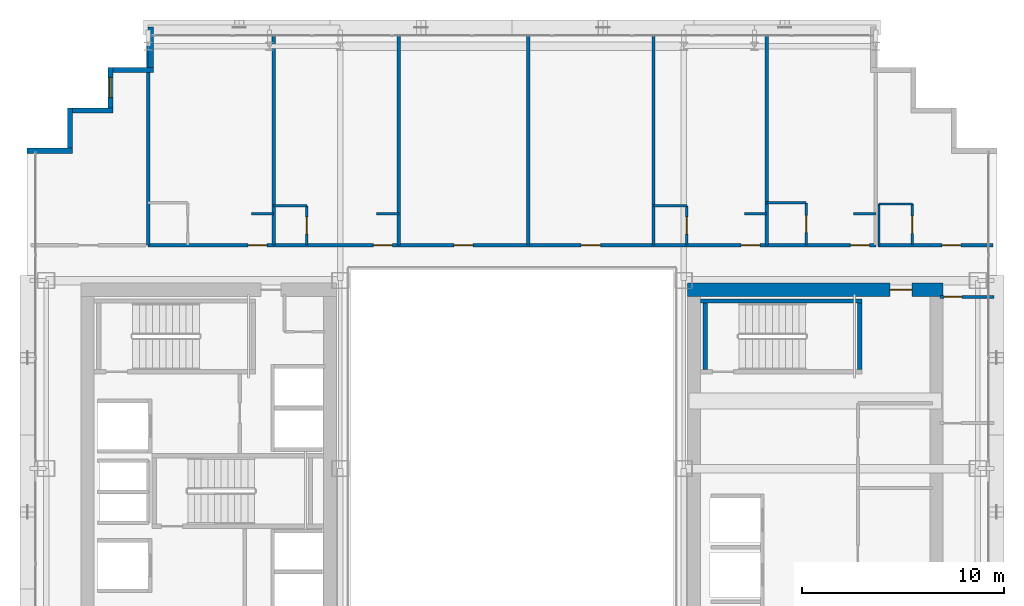
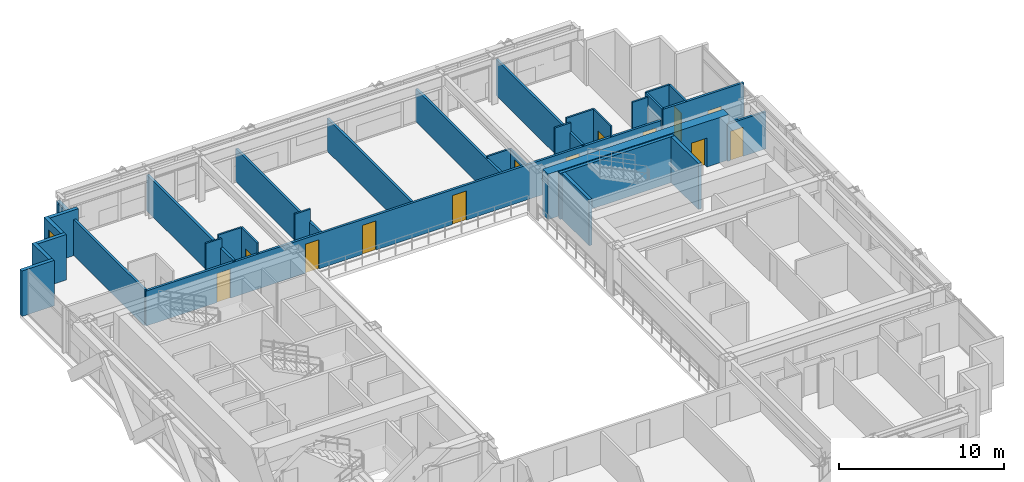
# One storey, part 30 of 35: 32 walls, 13 doors, 1 window, 14 openings.
"""IFC4 building model written with IfcOpenShell, lengths in metres."""

from ifc_helpers import new_model, si_unit, direction, frame, frame_2d, origin, place, context, subcontext, project, spatial, rectangle, extrude, source, transform, mapped, material, layer, layer_set, type_object, element, fill, save


model = new_model("IFC4")

# Units and contexts
model_context = context("Model", 3, precision=1e-05, world=origin(), true_north=direction((0.0, 1.0)))
body_context = subcontext(model_context, "Body", "Model", "MODEL_VIEW")
ifc_project = project(units=[si_unit("LENGTHUNIT", "METRE"), si_unit("AREAUNIT", "SQUARE_METRE"), si_unit("VOLUMEUNIT", "CUBIC_METRE"), si_unit("PLANEANGLEUNIT", "RADIAN"), si_unit("MASSUNIT", "GRAM", prefix="KILO")], contexts=[model_context])

# Site, building, storey
site_placement = place(None, origin())
site = spatial("IfcSite", under=ifc_project, at=site_placement, CompositionType="ELEMENT")
building_placement = place(site_placement, origin())
building = spatial("IfcBuilding", under=site, at=building_placement, Name="Ocotamira Hotel", CompositionType="ELEMENT")
storey_placement = place(building_placement, frame((0.0, 0.0, 118.800048828125)))
storey = spatial("IfcBuildingStorey", under=building, at=storey_placement, Name="L29", CompositionType="ELEMENT", Elevation=118.800048828125)

# Wall, opening, door
ifc_material_1 = material(Name="Concrete C60/75", Category="concrete")
ifc_layer_1 = layer(ifc_material_1, 0.64990234375)
ifc_layer_set_1 = layer_set([ifc_layer_1], Name="Concrete C60/75")
wall_type_1 = type_object("IfcWallType", Name="WL-CORE-650", PredefinedType="SHEAR", material=ifc_layer_set_1)
wall_1_placement = place(storey_placement, frame((40.675048828125, 37.0, 0.0), z_axis=(0.0, 0.0, 1.0), x_axis=(1.0, 0.0, 0.0)))
wall_1 = element("IfcWall", 1, at=wall_1_placement, inside=storey, type_object=wall_type_1, Name="L29 Shear Core Wall ECORE-N", PredefinedType="SHEAR", context=body_context, shape_type="SweptSolid", body=[
    extrude(rectangle(XDim=12.64990234375, YDim=0.64990234375, at=frame_2d((6.324951171875, 0.0))), origin(), (0.0, 0.0, 1.0), 3.35986328125),
])
opening_1_placement = place(wall_1_placement, frame((10.02490234375, 0.0, 0.0)))
opening_1 = element("IfcOpeningElement", 2, at=opening_1_placement, cuts=wall_1, Name="Opening D-FR1", PredefinedType="OPENING", context=body_context, shape_type="SweptSolid", body=[
    extrude(rectangle(XDim=1.10009765625, YDim=2.14990234375, at=frame_2d((0.550048828125, 1.074951171875))), frame((0.0, 0.3349609375, 0.0), z_axis=(0.0, -1.0, 0.0), x_axis=(1.0, 0.0, 0.0)), (0.0, 0.0, 1.0), 0.669921875),
])
ifc_material_2 = material(Name="Fire-rated acoustic timber-veneer door", Category="wood")
door_type_1 = type_object("IfcDoorType", Name="DR-FIRE-1100", OperationType="NOTDEFINED", PredefinedType="DOOR", material=ifc_material_2)
shared_shape_1 = source(origin(), body_context, "Body", "SweptSolid", [
    extrude(rectangle(XDim=1.10009765625, YDim=2.14990234375, at=frame_2d((0.550048828125, 1.074951171875))), frame((0.0, 0.02490234375, 0.0), z_axis=(0.0, -1.0, 0.0), x_axis=(1.0, 0.0, 0.0)), (0.0, 0.0, 1.0), 0.050048828125),
])
door_1_placement = place(opening_1_placement, origin())
door_1 = element("IfcDoor", 3, at=door_1_placement, inside=storey, type_object=door_type_1, Name="L29 Door ID-L29-ELOB-N-D [ID-L29-ELOB-N-D]", OperationType="SINGLE_SWING_LEFT", OverallHeight=2.14990234375, OverallWidth=1.10009765625, PredefinedType="DOOR", context=body_context, shape_type="MappedRepresentation", body=[
    mapped(shared_shape_1, transform((0.0, 0.0, 0.0), scale=1.0)),
])
fill(opening_1, door_1)

# Walls
ifc_material_3 = material(Name="Precast concrete C45/55", Category="concrete")
ifc_layer_2 = layer(ifc_material_3, 0.25)
ifc_layer_set_2 = layer_set([ifc_layer_2], Name="Precast concrete C45/55")
wall_type_2 = type_object("IfcWallType", Name="WL-EXT-SER-250", PredefinedType="SOLIDWALL", material=ifc_layer_set_2)
wall_2_placement = place(storey_placement, frame((14.125, 50.0, 0.0), z_axis=(0.0, 0.0, 1.0), x_axis=(0.0, -1.0, 0.0)))
element("IfcWall", 4, at=wall_2_placement, inside=storey, type_object=wall_type_2, Name="L29 Serrated Corner Wall 13", PredefinedType="SOLIDWALL", context=body_context, shape_type="SweptSolid", body=[
    extrude(rectangle(XDim=2.0, YDim=0.25, at=frame_2d((1.0, 0.0))), origin(), (0.0, 0.0, 1.0), 2.6669921875),
])
wall_3_placement = place(storey_placement, frame((14.25, 47.875, 0.0), z_axis=(0.0, 0.0, 1.0), x_axis=(-1.0, 0.0, 0.0)))
element("IfcWall", 5, at=wall_3_placement, inside=storey, type_object=wall_type_2, Name="L29 Serrated Corner Wall 14", PredefinedType="SOLIDWALL", context=body_context, shape_type="SweptSolid", body=[
    extrude(rectangle(XDim=2.0, YDim=0.25, at=frame_2d((1.0, 0.0))), origin(), (0.0, 0.0, 1.0), 3.35986328125),
])

# Wall, opening, window
wall_4_placement = place(storey_placement, frame((12.125, 48.0, 0.0), z_axis=(0.0, 0.0, 1.0), x_axis=(0.0, -1.0, 0.0)))
wall_4 = element("IfcWall", 6, at=wall_4_placement, inside=storey, type_object=wall_type_2, Name="L29 Serrated Corner Wall 15", PredefinedType="SOLIDWALL", context=body_context, shape_type="SweptSolid", body=[
    extrude(rectangle(XDim=2.0, YDim=0.25, at=frame_2d((1.0, 0.0))), origin(), (0.0, 0.0, 1.0), 3.35986328125),
])
opening_2_placement = place(wall_4_placement, frame((0.5, 0.0, 0.85009765625)))
opening_2 = element("IfcOpeningElement", 7, at=opening_2_placement, cuts=wall_4, Name="Opening WN-2", PredefinedType="OPENING", context=body_context, shape_type="SweptSolid", body=[
    extrude(rectangle(XDim=1.0, YDim=1.89990234375, at=frame_2d((0.5, 0.949951171875))), frame((0.0, 0.135009765625, 0.0), z_axis=(0.0, -1.0, 0.0), x_axis=(1.0, 0.0, 0.0)), (0.0, 0.0, 1.0), 0.27001953125),
])
ifc_material_4 = material(Name="Double-silver low-E solar glass", Category="glass")
window_type = type_object("IfcWindowType", Name="WIN-SER-1100", PartitioningType="SINGLE_PANEL", PredefinedType="WINDOW", material=ifc_material_4)
shared_shape_2 = source(origin(), body_context, "Body", "SweptSolid", [
    extrude(rectangle(XDim=1.0, YDim=1.89990234375, at=frame_2d((0.5, 0.949951171875))), frame((0.0, 0.030029296875, 0.0), z_axis=(0.0, -1.0, 0.0), x_axis=(1.0, 0.0, 0.0)), (0.0, 0.0, 1.0), 0.06005859375),
])
window_placement = place(opening_2_placement, origin())
window = element("IfcWindow", 8, at=window_placement, inside=storey, type_object=window_type, Name="L29 Serrated Corner Window 15", OverallHeight=1.89990234375, OverallWidth=1.0, PartitioningType="SINGLE_PANEL", PredefinedType="WINDOW", context=body_context, shape_type="MappedRepresentation", body=[
    mapped(shared_shape_2, transform((0.0, 0.0, 0.0), scale=1.0)),
])
fill(opening_2, window)

# Walls
for number, where, z_axis, x_axis, name in (
    (9, (12.25, 45.875, 0.0), (0.0, 0.0, 1.0), (-1.0, 0.0, 0.0), "L29 Serrated Corner Wall 16"),
    (10, (10.125, 46.0, 0.0), (0.0, 0.0, 1.0), (0.0, -1.0, 0.0), "L29 Serrated Corner Wall 17"),
):
    element("IfcWall", number, at=place(storey_placement, frame(where, z_axis=z_axis, x_axis=x_axis)), inside=storey, type_object=wall_type_2, Name=name, PredefinedType="SOLIDWALL", context=body_context, shape_type="SweptSolid", body=[
        extrude(rectangle(XDim=2.0, YDim=0.25, at=frame_2d((1.0, 0.0))), origin(), (0.0, 0.0, 1.0), 3.35986328125),
    ])
wall_5_placement = place(storey_placement, frame((10.25, 43.875, 0.0), z_axis=(0.0, 0.0, 1.0), x_axis=(-1.0, 0.0, 0.0)))
element("IfcWall", 11, at=wall_5_placement, inside=storey, type_object=wall_type_2, Name="L29 Serrated Corner Wall 18", PredefinedType="SOLIDWALL", context=body_context, shape_type="SweptSolid", body=[
    extrude(rectangle(XDim=2.25, YDim=0.25, at=frame_2d((1.125, 0.0))), origin(), (0.0, 0.0, 1.0), 3.35986328125),
])

# Wall, opening, door
ifc_material_5 = material(Name="Acoustic double-layer fire gypsum board partition", Category="gypsum")
ifc_layer_3 = layer(ifc_material_5, 0.159912109375)
ifc_layer_set_3 = layer_set([ifc_layer_3], Name="Acoustic double-layer fire gypsum board partition")
wall_type_3 = type_object("IfcWallType", Name="WL-FIRE-160", PredefinedType="PARTITIONING", material=ifc_layer_set_3)
wall_6_placement = place(storey_placement, frame((50.1201171875, 39.199951171875, 0.0), z_axis=(0.0, 0.0, 1.0), x_axis=(1.0, 0.0, 0.0)))
wall_6 = element("IfcWall", 12, at=wall_6_placement, inside=storey, type_object=wall_type_3, Name="L29 Interior Wall PW-L29-Z2C-CNE-CW", PredefinedType="PARTITIONING", context=body_context, shape_type="SweptSolid", body=[
    extrude(rectangle(XDim=5.679931640625, YDim=0.159912109375, at=frame_2d((2.83984375, 0.0))), origin(), (0.0, 0.0, 1.0), 3.35986328125),
])
opening_3_placement = place(wall_6_placement, frame((3.14990234375, 0.0, 0.0)))
opening_3 = element("IfcOpeningElement", 13, at=opening_3_placement, cuts=wall_6, Name="Opening D-GR1", PredefinedType="OPENING", context=body_context, shape_type="SweptSolid", body=[
    extrude(rectangle(XDim=0.93994140625, YDim=2.14990234375, at=frame_2d((0.469970703125, 1.074951171875))), frame((0.0, 0.08984375, 0.0), z_axis=(0.0, -1.0, 0.0), x_axis=(1.0, 0.0, 0.0)), (0.0, 0.0, 1.0), 0.179931640625),
])
ifc_material_6 = material(Name="Solid-core walnut suite entrance fire door", Category="wood")
door_type_2 = type_object("IfcDoorType", Name="DR-GUEST-940", OperationType="NOTDEFINED", PredefinedType="DOOR", material=ifc_material_6)
shared_shape_3 = source(origin(), body_context, "Body", "SweptSolid", [
    extrude(rectangle(XDim=0.93994140625, YDim=2.14990234375, at=frame_2d((0.469970703125, 1.074951171875))), frame((0.0, 0.02490234375, 0.0), z_axis=(0.0, -1.0, 0.0), x_axis=(1.0, 0.0, 0.0)), (0.0, 0.0, 1.0), 0.050048828125),
])
door_2_placement = place(opening_3_placement, origin())
door_2 = element("IfcDoor", 14, at=door_2_placement, inside=storey, type_object=door_type_2, Name="L29 Door ID-L29-Z2C-CNE-CD [ID-L29-Z2C-CNE-CD]", OperationType="SINGLE_SWING_RIGHT", OverallHeight=2.14990234375, OverallWidth=0.93994140625, PredefinedType="DOOR", context=body_context, shape_type="MappedRepresentation", body=[
    mapped(shared_shape_3, transform((0.0, 0.0, 0.0), scale=1.0)),
])
fill(opening_3, door_2)

# Wall, openings, doors
wall_7_placement = place(storey_placement, frame((14.0, 39.199951171875, 0.0), z_axis=(0.0, 0.0, 1.0), x_axis=(1.0, 0.0, 0.0)))
wall_7 = element("IfcWall", 15, at=wall_7_placement, inside=storey, type_object=wall_type_3, Name="L29 Interior Wall PW-L29-Z2CN-CORRW", PredefinedType="PARTITIONING", context=body_context, shape_type="SweptSolid", body=[
    extrude(rectangle(XDim=36.0, YDim=0.159912109375, at=frame_2d((18.0, 0.0))), origin(), (0.0, 0.0, 1.0), 2.5810546875),
])
opening_4_placement = place(wall_7_placement, frame((4.93994140625, 0.0, 0.0)))
opening_4 = element("IfcOpeningElement", 16, at=opening_4_placement, cuts=wall_7, Name="Opening D-GR1", PredefinedType="OPENING", context=body_context, shape_type="SweptSolid", body=[
    extrude(rectangle(XDim=0.93994140625, YDim=2.14990234375, at=frame_2d((0.469970703125, 1.074951171875))), frame((0.0, 0.08984375, 0.0), z_axis=(0.0, -1.0, 0.0), x_axis=(1.0, 0.0, 0.0)), (0.0, 0.0, 1.0), 0.179931640625),
])
opening_5_placement = place(wall_7_placement, frame((11.139892578125, 0.0, 0.0)))
opening_5 = element("IfcOpeningElement", 17, at=opening_5_placement, cuts=wall_7, Name="Opening D-GR1", PredefinedType="OPENING", context=body_context, shape_type="SweptSolid", body=[
    extrude(rectangle(XDim=0.93994140625, YDim=2.14990234375, at=frame_2d((0.469970703125, 1.074951171875))), frame((0.0, 0.08984375, 0.0), z_axis=(0.0, -1.0, 0.0), x_axis=(1.0, 0.0, 0.0)), (0.0, 0.0, 1.0), 0.179931640625),
])
opening_6_placement = place(wall_7_placement, frame((15.1201171875, 0.0, 0.0)))
opening_6 = element("IfcOpeningElement", 18, at=opening_6_placement, cuts=wall_7, Name="Opening D-SV4", PredefinedType="OPENING", context=body_context, shape_type="SweptSolid", body=[
    extrude(rectangle(XDim=0.9599609375, YDim=2.14990234375, at=frame_2d((0.47998046875, 1.074951171875))), frame((0.0, 0.08984375, 0.0), z_axis=(0.0, -1.0, 0.0), x_axis=(1.0, 0.0, 0.0)), (0.0, 0.0, 1.0), 0.179931640625),
])
opening_7_placement = place(wall_7_placement, frame((21.419921875, 0.0, 0.0)))
opening_7 = element("IfcOpeningElement", 19, at=opening_7_placement, cuts=wall_7, Name="Opening D-SV4", PredefinedType="OPENING", context=body_context, shape_type="SweptSolid", body=[
    extrude(rectangle(XDim=0.9599609375, YDim=2.14990234375, at=frame_2d((0.47998046875, 1.074951171875))), frame((0.0, 0.08984375, 0.0), z_axis=(0.0, -1.0, 0.0), x_axis=(1.0, 0.0, 0.0)), (0.0, 0.0, 1.0), 0.179931640625),
])
opening_8_placement = place(wall_7_placement, frame((29.340087890625, 0.0, 0.0)))
opening_8 = element("IfcOpeningElement", 20, at=opening_8_placement, cuts=wall_7, Name="Opening D-GR1", PredefinedType="OPENING", context=body_context, shape_type="SweptSolid", body=[
    extrude(rectangle(XDim=0.93994140625, YDim=2.14990234375, at=frame_2d((0.469970703125, 1.074951171875))), frame((0.0, 0.08984375, 0.0), z_axis=(0.0, -1.0, 0.0), x_axis=(1.0, 0.0, 0.0)), (0.0, 0.0, 1.0), 0.179931640625),
])
opening_9_placement = place(wall_7_placement, frame((34.739990234375, 0.0, 0.0)))
opening_9 = element("IfcOpeningElement", 21, at=opening_9_placement, cuts=wall_7, Name="Opening D-GR1", PredefinedType="OPENING", context=body_context, shape_type="SweptSolid", body=[
    extrude(rectangle(XDim=0.93994140625, YDim=2.14990234375, at=frame_2d((0.469970703125, 1.074951171875))), frame((0.0, 0.08984375, 0.0), z_axis=(0.0, -1.0, 0.0), x_axis=(1.0, 0.0, 0.0)), (0.0, 0.0, 1.0), 0.179931640625),
])
ifc_material_7 = material(Name="Fire-rated accessible walnut salon door", Category="wood")
door_type_3 = type_object("IfcDoorType", Name="DR-SERV-960", OperationType="NOTDEFINED", PredefinedType="DOOR", material=ifc_material_7)
shared_shape_4 = source(origin(), body_context, "Body", "SweptSolid", [
    extrude(rectangle(XDim=0.9599609375, YDim=2.14990234375, at=frame_2d((0.47998046875, 1.074951171875))), frame((0.0, 0.02490234375, 0.0), z_axis=(0.0, -1.0, 0.0), x_axis=(1.0, 0.0, 0.0)), (0.0, 0.0, 1.0), 0.050048828125),
])
door_3_placement = place(opening_6_placement, origin())
door_3 = element("IfcDoor", 22, at=door_3_placement, inside=storey, type_object=door_type_3, Name="L29 Door ID-L29-Z2CN-AMD3 [ID-L29-Z2CN-AMD3]", OperationType="SINGLE_SWING_LEFT", OverallHeight=2.14990234375, OverallWidth=0.9599609375, PredefinedType="DOOR", context=body_context, shape_type="MappedRepresentation", body=[
    mapped(shared_shape_4, transform((0.0, 0.0, 0.0), scale=1.0)),
])
fill(opening_6, door_3)
door_4_placement = place(opening_7_placement, origin())
door_4 = element("IfcDoor", 23, at=door_4_placement, inside=storey, type_object=door_type_3, Name="L29 Door ID-L29-Z2CN-AMD4 [ID-L29-Z2CN-AMD4]", OperationType="SINGLE_SWING_RIGHT", OverallHeight=2.14990234375, OverallWidth=0.9599609375, PredefinedType="DOOR", context=body_context, shape_type="MappedRepresentation", body=[
    mapped(shared_shape_4, transform((0.0, 0.0, 0.0), scale=1.0)),
])
fill(opening_7, door_4)
door_5_placement = place(opening_4_placement, origin())
door_5 = element("IfcDoor", 24, at=door_5_placement, inside=storey, type_object=door_type_2, Name="L29 Door ID-L29-Z2CN-RMD1 [ID-L29-Z2CN-RMD1]", OperationType="SINGLE_SWING_LEFT", OverallHeight=2.14990234375, OverallWidth=0.93994140625, PredefinedType="DOOR", context=body_context, shape_type="MappedRepresentation", body=[
    mapped(shared_shape_3, transform((0.0, 0.0, 0.0), scale=1.0)),
])
fill(opening_4, door_5)
door_6_placement = place(opening_5_placement, origin())
door_6 = element("IfcDoor", 25, at=door_6_placement, inside=storey, type_object=door_type_2, Name="L29 Door ID-L29-Z2CN-RMD2 [ID-L29-Z2CN-RMD2]", OperationType="SINGLE_SWING_RIGHT", OverallHeight=2.14990234375, OverallWidth=0.93994140625, PredefinedType="DOOR", context=body_context, shape_type="MappedRepresentation", body=[
    mapped(shared_shape_3, transform((0.0, 0.0, 0.0), scale=1.0)),
])
fill(opening_5, door_6)
door_7_placement = place(opening_8_placement, origin())
door_7 = element("IfcDoor", 26, at=door_7_placement, inside=storey, type_object=door_type_2, Name="L29 Door ID-L29-Z2CN-RMD5 [ID-L29-Z2CN-RMD5]", OperationType="SINGLE_SWING_LEFT", OverallHeight=2.14990234375, OverallWidth=0.93994140625, PredefinedType="DOOR", context=body_context, shape_type="MappedRepresentation", body=[
    mapped(shared_shape_3, transform((0.0, 0.0, 0.0), scale=1.0)),
])
fill(opening_8, door_7)
door_8_placement = place(opening_9_placement, origin())
door_8 = element("IfcDoor", 27, at=door_8_placement, inside=storey, type_object=door_type_2, Name="L29 Door ID-L29-Z2CN-RMD6 [ID-L29-Z2CN-RMD6]", OperationType="SINGLE_SWING_RIGHT", OverallHeight=2.14990234375, OverallWidth=0.93994140625, PredefinedType="DOOR", context=body_context, shape_type="MappedRepresentation", body=[
    mapped(shared_shape_3, transform((0.0, 0.0, 0.0), scale=1.0)),
])
fill(opening_9, door_8)

# Wall, opening, door
ifc_material_8 = material(Name="Moisture-resistant en-suite tile and gypsum partition", Category="gypsum")
ifc_layer_4 = layer(ifc_material_8, 0.1201171875)
ifc_layer_set_4 = layer_set([ifc_layer_4], Name="Moisture-resistant en-suite tile and gypsum partition")
wall_type_4 = type_object("IfcWallType", Name="WL-PART-120", PredefinedType="PARTITIONING", material=ifc_layer_set_4)
wall_8_placement = place(storey_placement, frame((51.81005859375, 39.199951171875, 0.0), z_axis=(0.0, 0.0, 1.0), x_axis=(0.0, 1.0, 0.0)))
wall_8 = element("IfcWall", 28, at=wall_8_placement, inside=storey, type_object=wall_type_4, Name="L29 Interior Wall PW-L29-Z2C-CNE-BE", PredefinedType="PARTITIONING", context=body_context, shape_type="SweptSolid", body=[
    extrude(rectangle(XDim=2.0400390625, YDim=0.1201171875, at=frame_2d((1.02001953125, 0.0))), origin(), (0.0, 0.0, 1.0), 3.35986328125),
])
opening_10_placement = place(wall_8_placement, frame((0.590087890625, 0.0, 0.0)))
opening_10 = element("IfcOpeningElement", 29, at=opening_10_placement, cuts=wall_8, Name="Opening D-BA1", PredefinedType="OPENING", context=body_context, shape_type="SweptSolid", body=[
    extrude(rectangle(XDim=0.860107421875, YDim=2.10009765625, at=frame_2d((0.43017578125, 1.050048828125))), frame((0.0, 0.070068359375, 0.0), z_axis=(0.0, -1.0, 0.0), x_axis=(1.0, 0.0, 0.0)), (0.0, 0.0, 1.0), 0.14013671875),
])
ifc_material_9 = material(Name="Moisture-sealed en-suite timber door", Category="wood")
door_type_4 = type_object("IfcDoorType", Name="DR-BATH-860", OperationType="NOTDEFINED", PredefinedType="DOOR", material=ifc_material_9)
shared_shape_5 = source(origin(), body_context, "Body", "SweptSolid", [
    extrude(rectangle(XDim=0.860107421875, YDim=2.10009765625, at=frame_2d((0.43017578125, 1.050048828125))), frame((0.0, 0.02490234375, 0.0), z_axis=(0.0, -1.0, 0.0), x_axis=(1.0, 0.0, 0.0)), (0.0, 0.0, 1.0), 0.050048828125),
])
door_9_placement = place(opening_10_placement, origin())
door_9 = element("IfcDoor", 30, at=door_9_placement, inside=storey, type_object=door_type_4, Name="L29 Door ID-L29-Z2C-CNE-BD [ID-L29-Z2C-CNE-BD]", OperationType="SINGLE_SWING_LEFT", OverallHeight=2.10009765625, OverallWidth=0.860107421875, PredefinedType="DOOR", context=body_context, shape_type="MappedRepresentation", body=[
    mapped(shared_shape_5, transform((0.0, 0.0, 0.0), scale=1.0)),
])
fill(opening_10, door_9)

# Walls
wall_9_placement = place(storey_placement, frame((50.159912109375, 39.199951171875, 0.0), z_axis=(0.0, 0.0, 1.0), x_axis=(0.0, 1.0, 0.0)))
element("IfcWall", 31, at=wall_9_placement, inside=storey, type_object=wall_type_4, Name="L29 Interior Wall PW-L29-Z2C-CNE-BW", PredefinedType="PARTITIONING", context=body_context, shape_type="SweptSolid", body=[
    extrude(rectangle(XDim=2.0400390625, YDim=0.1201171875, at=frame_2d((1.02001953125, 0.0))), origin(), (0.0, 0.0, 1.0), 3.35986328125),
])
wall_10_placement = place(storey_placement, frame((50.159912109375, 41.239990234375, 0.0), z_axis=(0.0, 0.0, 1.0), x_axis=(1.0, 0.0, 0.0)))
element("IfcWall", 32, at=wall_10_placement, inside=storey, type_object=wall_type_4, Name="L29 Interior Wall PW-L29-Z2C-CNE-BH", PredefinedType="PARTITIONING", context=body_context, shape_type="SweptSolid", body=[
    extrude(rectangle(XDim=1.650146484375, YDim=0.1201171875, at=frame_2d((0.8251953125, 0.0))), origin(), (0.0, 0.0, 1.0), 3.35986328125),
])
wall_11_placement = place(storey_placement, frame((19.10009765625, 40.75, 0.0), z_axis=(0.0, 0.0, 1.0), x_axis=(1.0, 0.0, 0.0)))
element("IfcWall", 33, at=wall_11_placement, inside=storey, type_object=wall_type_4, Name="L29 Interior Wall PW-L29-Z2CN-DRN1", PredefinedType="PARTITIONING", context=body_context, shape_type="SweptSolid", body=[
    extrude(rectangle(XDim=1.099853515625, YDim=0.1201171875, at=frame_2d((0.5498046875, 0.0))), origin(), (0.0, 0.0, 1.0), 3.35986328125),
])

# Wall, opening, door
wall_12_placement = place(storey_placement, frame((21.85009765625, 39.199951171875, 0.0), z_axis=(0.0, 0.0, 1.0), x_axis=(0.0, 1.0, 0.0)))
wall_12 = element("IfcWall", 34, at=wall_12_placement, inside=storey, type_object=wall_type_4, Name="L29 Interior Wall PW-L29-Z2CN-BAE2", PredefinedType="PARTITIONING", context=body_context, shape_type="SweptSolid", body=[
    extrude(rectangle(XDim=1.949951171875, YDim=0.1201171875, at=frame_2d((0.97509765625, 0.0))), origin(), (0.0, 0.0, 1.0), 3.35986328125),
])
opening_11_placement = place(wall_12_placement, frame((0.544921875, 0.0, 0.0)))
opening_11 = element("IfcOpeningElement", 35, at=opening_11_placement, cuts=wall_12, Name="Opening D-BA1", PredefinedType="OPENING", context=body_context, shape_type="SweptSolid", body=[
    extrude(rectangle(XDim=0.860107421875, YDim=2.10009765625, at=frame_2d((0.43017578125, 1.050048828125))), frame((0.0, 0.070068359375, 0.0), z_axis=(0.0, -1.0, 0.0), x_axis=(1.0, 0.0, 0.0)), (0.0, 0.0, 1.0), 0.14013671875),
])
door_10_placement = place(opening_11_placement, origin())
door_10 = element("IfcDoor", 36, at=door_10_placement, inside=storey, type_object=door_type_4, Name="L29 Door ID-L29-Z2CN-BAD2 [ID-L29-Z2CN-BAD2]", OperationType="SINGLE_SWING_LEFT", OverallHeight=2.10009765625, OverallWidth=0.860107421875, PredefinedType="DOOR", context=body_context, shape_type="MappedRepresentation", body=[
    mapped(shared_shape_5, transform((0.0, 0.0, 0.0), scale=1.0)),
])
fill(opening_11, door_10)

# Walls
wall_13_placement = place(storey_placement, frame((20.199951171875, 41.14990234375, 0.0), z_axis=(0.0, 0.0, 1.0), x_axis=(1.0, 0.0, 0.0)))
element("IfcWall", 37, at=wall_13_placement, inside=storey, type_object=wall_type_4, Name="L29 Interior Wall PW-L29-Z2CN-BAN2", PredefinedType="PARTITIONING", context=body_context, shape_type="SweptSolid", body=[
    extrude(rectangle(XDim=1.650146484375, YDim=0.1201171875, at=frame_2d((0.8251953125, 0.0))), origin(), (0.0, 0.0, 1.0), 3.35986328125),
])
wall_14_placement = place(storey_placement, frame((25.300048828125, 40.75, 0.0), z_axis=(0.0, 0.0, 1.0), x_axis=(1.0, 0.0, 0.0)))
element("IfcWall", 38, at=wall_14_placement, inside=storey, type_object=wall_type_4, Name="L29 Interior Wall PW-L29-Z2CN-DRN2", PredefinedType="PARTITIONING", context=body_context, shape_type="SweptSolid", body=[
    extrude(rectangle(XDim=1.099853515625, YDim=0.1201171875, at=frame_2d((0.5498046875, 0.0))), origin(), (0.0, 0.0, 1.0), 3.35986328125),
])

# Wall, opening, door
wall_15_placement = place(storey_placement, frame((40.64990234375, 39.199951171875, 0.0), z_axis=(0.0, 0.0, 1.0), x_axis=(0.0, 1.0, 0.0)))
wall_15 = element("IfcWall", 39, at=wall_15_placement, inside=storey, type_object=wall_type_4, Name="L29 Interior Wall PW-L29-Z2CN-BAE5", PredefinedType="PARTITIONING", context=body_context, shape_type="SweptSolid", body=[
    extrude(rectangle(XDim=1.949951171875, YDim=0.1201171875, at=frame_2d((0.97509765625, 0.0))), origin(), (0.0, 0.0, 1.0), 2.5810546875),
])
opening_12_placement = place(wall_15_placement, frame((0.544921875, 0.0, 0.0)))
opening_12 = element("IfcOpeningElement", 40, at=opening_12_placement, cuts=wall_15, Name="Opening D-BA1", PredefinedType="OPENING", context=body_context, shape_type="SweptSolid", body=[
    extrude(rectangle(XDim=0.860107421875, YDim=2.10009765625, at=frame_2d((0.43017578125, 1.050048828125))), frame((0.0, 0.070068359375, 0.0), z_axis=(0.0, -1.0, 0.0), x_axis=(1.0, 0.0, 0.0)), (0.0, 0.0, 1.0), 0.14013671875),
])
door_11_placement = place(opening_12_placement, origin())
door_11 = element("IfcDoor", 41, at=door_11_placement, inside=storey, type_object=door_type_4, Name="L29 Door ID-L29-Z2CN-BAD5 [ID-L29-Z2CN-BAD5]", OperationType="SINGLE_SWING_RIGHT", OverallHeight=2.10009765625, OverallWidth=0.860107421875, PredefinedType="DOOR", context=body_context, shape_type="MappedRepresentation", body=[
    mapped(shared_shape_5, transform((0.0, 0.0, 0.0), scale=1.0)),
])
fill(opening_12, door_11)

# Walls
wall_16_placement = place(storey_placement, frame((39.0, 41.14990234375, 0.0), z_axis=(0.0, 0.0, 1.0), x_axis=(1.0, 0.0, 0.0)))
element("IfcWall", 42, at=wall_16_placement, inside=storey, type_object=wall_type_4, Name="L29 Interior Wall PW-L29-Z2CN-BAN5", PredefinedType="PARTITIONING", context=body_context, shape_type="SweptSolid", body=[
    extrude(rectangle(XDim=1.64990234375, YDim=0.1201171875, at=frame_2d((0.824951171875, 0.0))), origin(), (0.0, 0.0, 1.0), 2.5810546875),
])
wall_17_placement = place(storey_placement, frame((43.5, 40.75, 0.0), z_axis=(0.0, 0.0, 1.0), x_axis=(1.0, 0.0, 0.0)))
element("IfcWall", 43, at=wall_17_placement, inside=storey, type_object=wall_type_4, Name="L29 Interior Wall PW-L29-Z2CN-DRN5", PredefinedType="PARTITIONING", context=body_context, shape_type="SweptSolid", body=[
    extrude(rectangle(XDim=1.10009765625, YDim=0.1201171875, at=frame_2d((0.550048828125, 0.0))), origin(), (0.0, 0.0, 1.0), 3.35986328125),
])

# Wall, opening, door
wall_18_placement = place(storey_placement, frame((46.550048828125, 39.199951171875, 0.0), z_axis=(0.0, 0.0, 1.0), x_axis=(0.0, 1.0, 0.0)))
wall_18 = element("IfcWall", 44, at=wall_18_placement, inside=storey, type_object=wall_type_4, Name="L29 Interior Wall PW-L29-Z2CN-BAE6", PredefinedType="PARTITIONING", context=body_context, shape_type="SweptSolid", body=[
    extrude(rectangle(XDim=2.10009765625, YDim=0.1201171875, at=frame_2d((1.050048828125, 0.0))), origin(), (0.0, 0.0, 1.0), 3.35986328125),
])
opening_13_placement = place(wall_18_placement, frame((0.6201171875, 0.0, 0.0)))
opening_13 = element("IfcOpeningElement", 45, at=opening_13_placement, cuts=wall_18, Name="Opening D-BA1", PredefinedType="OPENING", context=body_context, shape_type="SweptSolid", body=[
    extrude(rectangle(XDim=0.860107421875, YDim=2.10009765625, at=frame_2d((0.43017578125, 1.050048828125))), frame((0.0, 0.070068359375, 0.0), z_axis=(0.0, -1.0, 0.0), x_axis=(1.0, 0.0, 0.0)), (0.0, 0.0, 1.0), 0.14013671875),
])
door_12_placement = place(opening_13_placement, origin())
door_12 = element("IfcDoor", 46, at=door_12_placement, inside=storey, type_object=door_type_4, Name="L29 Door ID-L29-Z2CN-BAD6 [ID-L29-Z2CN-BAD6]", OperationType="SINGLE_SWING_LEFT", OverallHeight=2.10009765625, OverallWidth=0.860107421875, PredefinedType="DOOR", context=body_context, shape_type="MappedRepresentation", body=[
    mapped(shared_shape_5, transform((0.0, 0.0, 0.0), scale=1.0)),
])
fill(opening_13, door_12)

# Walls
wall_19_placement = place(storey_placement, frame((44.60009765625, 41.300048828125, 0.0), z_axis=(0.0, 0.0, 1.0), x_axis=(1.0, 0.0, 0.0)))
element("IfcWall", 47, at=wall_19_placement, inside=storey, type_object=wall_type_4, Name="L29 Interior Wall PW-L29-Z2CN-BAN6", PredefinedType="PARTITIONING", context=body_context, shape_type="SweptSolid", body=[
    extrude(rectangle(XDim=1.949951171875, YDim=0.1201171875, at=frame_2d((0.97509765625, 0.0))), origin(), (0.0, 0.0, 1.0), 3.35986328125),
])
wall_20_placement = place(storey_placement, frame((48.89990234375, 40.75, 0.0), z_axis=(0.0, 0.0, 1.0), x_axis=(1.0, 0.0, 0.0)))
element("IfcWall", 48, at=wall_20_placement, inside=storey, type_object=wall_type_4, Name="L29 Interior Wall PW-L29-Z2CN-DRN6", PredefinedType="PARTITIONING", context=body_context, shape_type="SweptSolid", body=[
    extrude(rectangle(XDim=1.10009765625, YDim=0.1201171875, at=frame_2d((0.550048828125, 0.0))), origin(), (0.0, 0.0, 1.0), 3.35986328125),
])

# Wall, opening, door
ifc_material_10 = material(Name="Acoustic hospitality gypsum board partition", Category="gypsum")
ifc_layer_5 = layer(ifc_material_10, 0.14990234375)
ifc_layer_set_5 = layer_set([ifc_layer_5], Name="Acoustic hospitality gypsum board partition")
wall_type_5 = type_object("IfcWallType", Name="WL-PART-150", PredefinedType="PARTITIONING", material=ifc_layer_set_5)
wall_21_placement = place(storey_placement, frame((53.179931640625, 36.639892578125, 0.0), z_axis=(0.0, 0.0, 1.0), x_axis=(1.0, 0.0, 0.0)))
wall_21 = element("IfcWall", 49, at=wall_21_placement, inside=storey, type_object=wall_type_5, Name="L29 Interior Wall PW-L29-Z2C-EF-WN", PredefinedType="PARTITIONING", context=body_context, shape_type="SweptSolid", body=[
    extrude(rectangle(XDim=2.66015625, YDim=0.14990234375, at=frame_2d((1.330078125, 0.0))), origin(), (0.0, 0.0, 1.0), 2.742919921875),
])
opening_14_placement = place(wall_21_placement, frame((0.199951171875, 0.0, 0.0)))
opening_14 = element("IfcOpeningElement", 50, at=opening_14_placement, cuts=wall_21, Name="Opening D-SV2", PredefinedType="OPENING", context=body_context, shape_type="SweptSolid", body=[
    extrude(rectangle(XDim=0.8798828125, YDim=2.14990234375, at=frame_2d((0.43994140625, 1.074951171875))), frame((0.0, 0.0849609375, 0.0), z_axis=(0.0, -1.0, 0.0), x_axis=(1.0, 0.0, 0.0)), (0.0, 0.0, 1.0), 0.169921875),
])
ifc_material_11 = material(Name="Fire-rated painted steel service door", Category="steel")
door_type_5 = type_object("IfcDoorType", Name="DR-SERV-880", OperationType="NOTDEFINED", PredefinedType="DOOR", material=ifc_material_11)
shared_shape_6 = source(origin(), body_context, "Body", "SweptSolid", [
    extrude(rectangle(XDim=0.8798828125, YDim=2.14990234375, at=frame_2d((0.43994140625, 1.074951171875))), frame((0.0, 0.02490234375, 0.0), z_axis=(0.0, -1.0, 0.0), x_axis=(1.0, 0.0, 0.0)), (0.0, 0.0, 1.0), 0.050048828125),
])
door_13_placement = place(opening_14_placement, origin())
door_13 = element("IfcDoor", 51, at=door_13_placement, inside=storey, type_object=door_type_5, Name="L29 Door ID-L29-Z2C-EF-DN [ID-L29-Z2C-EF-DN]", OperationType="SINGLE_SWING_LEFT", OverallHeight=2.14990234375, OverallWidth=0.8798828125, PredefinedType="DOOR", context=body_context, shape_type="MappedRepresentation", body=[
    mapped(shared_shape_6, transform((0.0, 0.0, 0.0), scale=1.0)),
])
fill(opening_14, door_13)

# Walls
ifc_material_12 = material(Name="Acoustic double-stud hospitality gypsum partition", Category="gypsum")
ifc_layer_6 = layer(ifc_material_12, 0.159912109375)
ifc_layer_set_6 = layer_set([ifc_layer_6], Name="Acoustic double-stud hospitality gypsum partition")
wall_type_6 = type_object("IfcWallType", Name="WL-PART-160", PredefinedType="PARTITIONING", material=ifc_layer_set_6)
wall_22_placement = place(storey_placement, frame((14.0, 39.199951171875, 0.0), z_axis=(0.0, 0.0, 1.0), x_axis=(0.0, 1.0, 0.0)))
element("IfcWall", 52, at=wall_22_placement, inside=storey, type_object=wall_type_6, Name="L29 Interior Wall PW-L29-Z2CN-PW0", PredefinedType="PARTITIONING", context=body_context, shape_type="SweptSolid", body=[
    extrude(rectangle(XDim=10.43994140625, YDim=0.159912109375, at=frame_2d((5.219970703125, 0.0))), origin(), (0.0, 0.0, 1.0), 2.6669921875),
])
for number, where, z_axis, x_axis, name in (
    (53, (26.39990234375, 39.199951171875, 0.0), (0.0, 0.0, 1.0), (0.0, 1.0, 0.0), "L29 Interior Wall PW-L29-Z2CN-PW2"),
    (54, (32.800048828125, 39.199951171875, 0.0), (0.0, 0.0, 1.0), (0.0, 1.0, 0.0), "L29 Interior Wall PW-L29-Z2CN-PW3"),
    (55, (39.0, 39.199951171875, 0.0), (0.0, 0.0, 1.0), (0.0, 1.0, 0.0), "L29 Interior Wall PW-L29-Z2CN-PW4"),
):
    element("IfcWall", number, at=place(storey_placement, frame(where, z_axis=z_axis, x_axis=x_axis)), inside=storey, type_object=wall_type_6, Name=name, PredefinedType="PARTITIONING", context=body_context, shape_type="SweptSolid", body=[
        extrude(rectangle(XDim=10.43994140625, YDim=0.159912109375, at=frame_2d((5.219970703125, 0.0))), origin(), (0.0, 0.0, 1.0), 2.432861328125),
    ])
wall_23_placement = place(storey_placement, frame((44.60009765625, 39.199951171875, 0.0), z_axis=(0.0, 0.0, 1.0), x_axis=(0.0, 1.0, 0.0)))
element("IfcWall", 56, at=wall_23_placement, inside=storey, type_object=wall_type_6, Name="L29 Interior Wall PW-L29-Z2CN-PW5", PredefinedType="PARTITIONING", context=body_context, shape_type="SweptSolid", body=[
    extrude(rectangle(XDim=10.43994140625, YDim=0.159912109375, at=frame_2d((5.219970703125, 0.0))), origin(), (0.0, 0.0, 1.0), 2.6669921875),
])
ifc_material_13 = material(Name="Double-stud suite party gypsum partition", Category="gypsum")
ifc_layer_7 = layer(ifc_material_13, 0.175048828125)
ifc_layer_set_7 = layer_set([ifc_layer_7], Name="Double-stud suite party gypsum partition")
wall_type_7 = type_object("IfcWallType", Name="WL-PART-175", PredefinedType="PARTITIONING", material=ifc_layer_set_7)
wall_24_placement = place(storey_placement, frame((20.199951171875, 39.199951171875, 0.0), z_axis=(0.0, 0.0, 1.0), x_axis=(0.0, 1.0, 0.0)))
element("IfcWall", 57, at=wall_24_placement, inside=storey, type_object=wall_type_7, Name="L29 Interior Wall PW-L29-Z2CN-PW1", PredefinedType="PARTITIONING", context=body_context, shape_type="SweptSolid", body=[
    extrude(rectangle(XDim=10.43994140625, YDim=0.175048828125, at=frame_2d((5.219970703125, 0.0))), origin(), (0.0, 0.0, 1.0), 2.6669921875),
])
ifc_material_14 = material(Name="Concrete C50/60", Category="concrete")
ifc_layer_8 = layer(ifc_material_14, 0.219970703125)
ifc_layer_set_8 = layer_set([ifc_layer_8], Name="Concrete C50/60")
wall_type_8 = type_object("IfcWallType", Name="WL-STAIR-220", PredefinedType="SHEAR", material=ifc_layer_set_8)
wall_25_placement = place(storey_placement, frame((41.324951171875, 36.43994140625, 0.0), z_axis=(0.0, 0.0, 1.0), x_axis=(1.0, 0.0, 0.0)))
element("IfcWall", 58, at=wall_25_placement, inside=storey, type_object=wall_type_8, Name="L29 Stair Shaft Structural Wall ST-4-N", PredefinedType="SHEAR", context=body_context, shape_type="SweptSolid", body=[
    extrude(rectangle(XDim=7.985107421875, YDim=0.219970703125, at=frame_2d((3.99267578125, 0.0))), origin(), (0.0, 0.0, 1.0), 3.39990234375),
])
for number, where, z_axis, x_axis, name in (
    (59, (41.56005859375, 33.050048828125, 0.0), (0.0, 0.0, 1.0), (0.0, 1.0, 0.0), "L29 Stair Shaft Structural Wall ST-4-W"),
    (60, (49.199951171875, 33.050048828125, 0.0), (0.0, 0.0, 1.0), (0.0, 1.0, 0.0), "L29 Stair Shaft Structural Wall ST-4-E"),
):
    element("IfcWall", number, at=place(storey_placement, frame(where, z_axis=z_axis, x_axis=x_axis)), inside=storey, type_object=wall_type_8, Name=name, PredefinedType="SHEAR", context=body_context, shape_type="SweptSolid", body=[
        extrude(rectangle(XDim=3.280029296875, YDim=0.219970703125, at=frame_2d((1.64013671875, 0.0))), origin(), (0.0, 0.0, 1.0), 3.39990234375),
    ])

save(model, "model.ifc")
